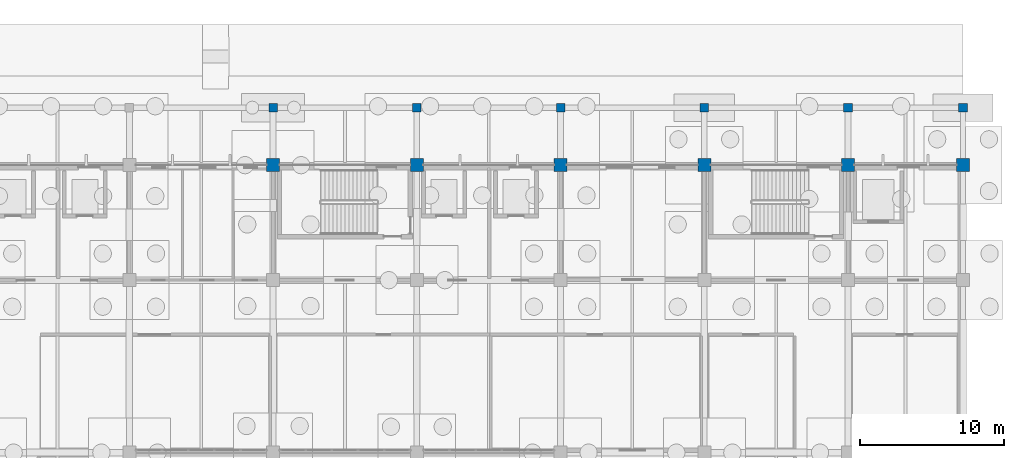
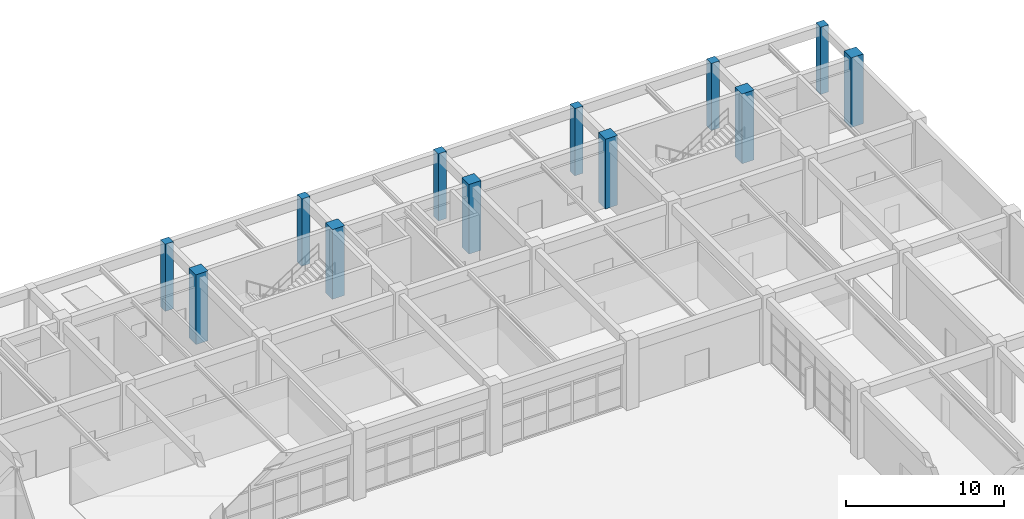
# One storey, part 29 of 99: 12 columns.
"""IFC4 building model written with IfcOpenShell, lengths in metres."""

from ifc_helpers import new_model, si_unit, direction, frame, origin, origin_2d, place, context, subcontext, project, spatial, rectangle, extrude, material, material_profile, profile_set, type_object, element, save


model = new_model("IFC4")

# Units and contexts
model_context = context("Model", 3, precision=1e-05, world=origin(), true_north=direction((0.0, 1.0)))
body_context = subcontext(model_context, "Body", "Model", "MODEL_VIEW")
ifc_project = project(units=[si_unit("LENGTHUNIT", "METRE"), si_unit("AREAUNIT", "SQUARE_METRE"), si_unit("VOLUMEUNIT", "CUBIC_METRE"), si_unit("PLANEANGLEUNIT", "RADIAN"), si_unit("MASSUNIT", "GRAM", prefix="KILO")], contexts=[model_context])

# Site, building, storey
site_placement = place(None, origin())
site = spatial("IfcSite", under=ifc_project, at=site_placement, CompositionType="ELEMENT")
building_placement = place(site_placement, origin())
building = spatial("IfcBuilding", under=site, at=building_placement, Name="Kivolera Central Railway Station", CompositionType="ELEMENT")
storey_placement = place(building_placement, origin())
storey = spatial("IfcBuildingStorey", under=building, at=storey_placement, Name="L00", CompositionType="ELEMENT", Elevation=0.0)

# Columns
ifc_material = material(Name="Concrete C40/50", Category="concrete")
ifc_material_profile_1 = material_profile(ifc_material, rectangle(XDim=0.89990234375, YDim=0.89990234375, at=origin_2d()), Name="RC 900x900")
ifc_profile_set_1 = profile_set([ifc_material_profile_1], Name="Concrete C40/50")
column_type_1 = type_object("IfcColumnType", Name="COL-RC-900", PredefinedType="COLUMN", material=ifc_profile_set_1)
for number, where, z_axis, x_axis, name in (
    (1, (148.0, 134.0, 0.0), (0.0, 0.0, 1.0), (1.0, 0.0, 0.0), "L00 Wing Column 15-M"),
    (2, (158.0, 134.0, 0.0), (0.0, 0.0, 1.0), (1.0, 0.0, 0.0), "L00 Wing Column 16-M"),
    (3, (168.0, 134.0, 0.0), (0.0, 0.0, 1.0), (1.0, 0.0, 0.0), "L00 Wing Column 17-M"),
    (4, (178.0, 134.0, 0.0), (0.0, 0.0, 1.0), (1.0, 0.0, 0.0), "L00 Wing Column 18-M"),
    (5, (188.0, 134.0, 0.0), (0.0, 0.0, 1.0), (1.0, 0.0, 0.0), "L00 Wing Column 19-M"),
    (6, (196.0, 134.0, 0.0), (0.0, 0.0, 1.0), (1.0, 0.0, 0.0), "L00 Wing Column 20-M"),
):
    element("IfcColumn", number, at=place(storey_placement, frame(where, z_axis=z_axis, x_axis=x_axis)), inside=storey, type_object=column_type_1, Name=name, PredefinedType="COLUMN", context=body_context, shape_type="SweptSolid", body=[
        extrude(rectangle(XDim=0.89990234375, YDim=0.89990234375, at=origin_2d()), origin(), (0.0, 0.0, 1.0), 5.39990234375),
    ])
ifc_material_profile_2 = material_profile(ifc_material, rectangle(XDim=0.60009765625, YDim=0.60009765625, at=origin_2d()), Name="RC 600x600")
ifc_profile_set_2 = profile_set([ifc_material_profile_2], Name="Concrete C40/50")
column_type_2 = type_object("IfcColumnType", Name="COL-RC-COL600", PredefinedType="COLUMN", material=ifc_profile_set_2)
for number, where, z_axis, x_axis, name in (
    (7, (148.0, 138.0, 0.0), (0.0, 0.0, 1.0), (1.0, 0.0, 0.0), "L00 Wing Column 15-N"),
    (8, (158.0, 138.0, 0.0), (0.0, 0.0, 1.0), (1.0, 0.0, 0.0), "L00 Wing Column 16-N"),
    (9, (168.0, 138.0, 0.0), (0.0, 0.0, 1.0), (1.0, 0.0, 0.0), "L00 Wing Column 17-N"),
    (10, (178.0, 138.0, 0.0), (0.0, 0.0, 1.0), (1.0, 0.0, 0.0), "L00 Wing Column 18-N"),
    (11, (188.0, 138.0, 0.0), (0.0, 0.0, 1.0), (1.0, 0.0, 0.0), "L00 Wing Column 19-N"),
    (12, (196.0, 138.0, 0.0), (0.0, 0.0, 1.0), (1.0, 0.0, 0.0), "L00 Wing Column 20-N"),
):
    element("IfcColumn", number, at=place(storey_placement, frame(where, z_axis=z_axis, x_axis=x_axis)), inside=storey, type_object=column_type_2, Name=name, PredefinedType="COLUMN", context=body_context, shape_type="SweptSolid", body=[
        extrude(rectangle(XDim=0.60009765625, YDim=0.60009765625, at=origin_2d()), origin(), (0.0, 0.0, 1.0), 5.199951171875),
    ])

save(model, "model.ifc")
